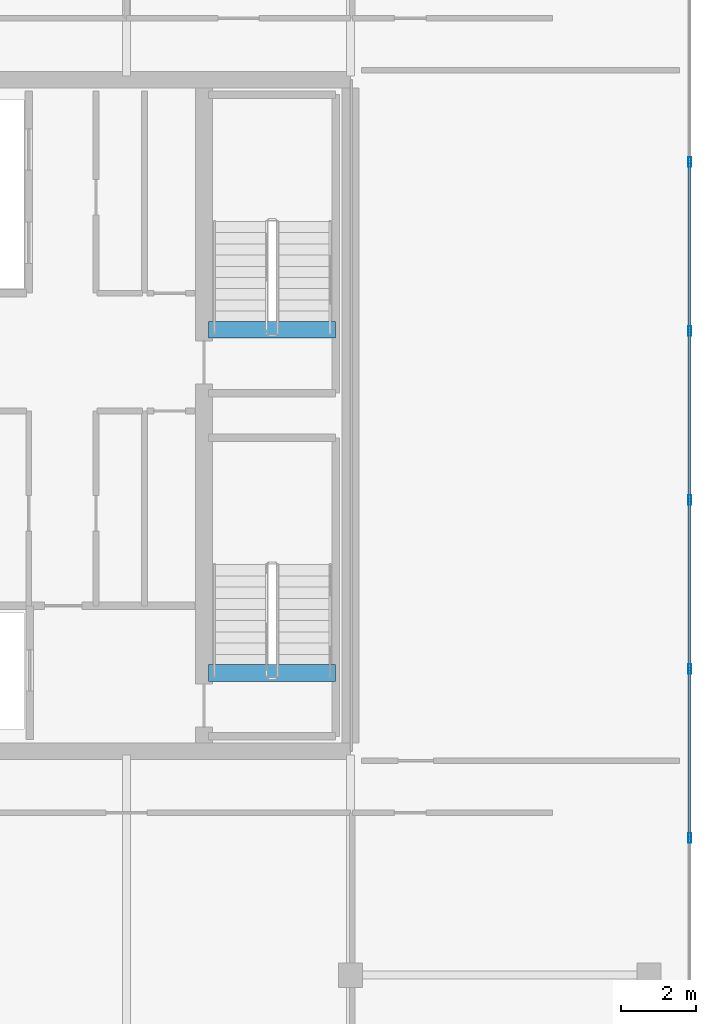
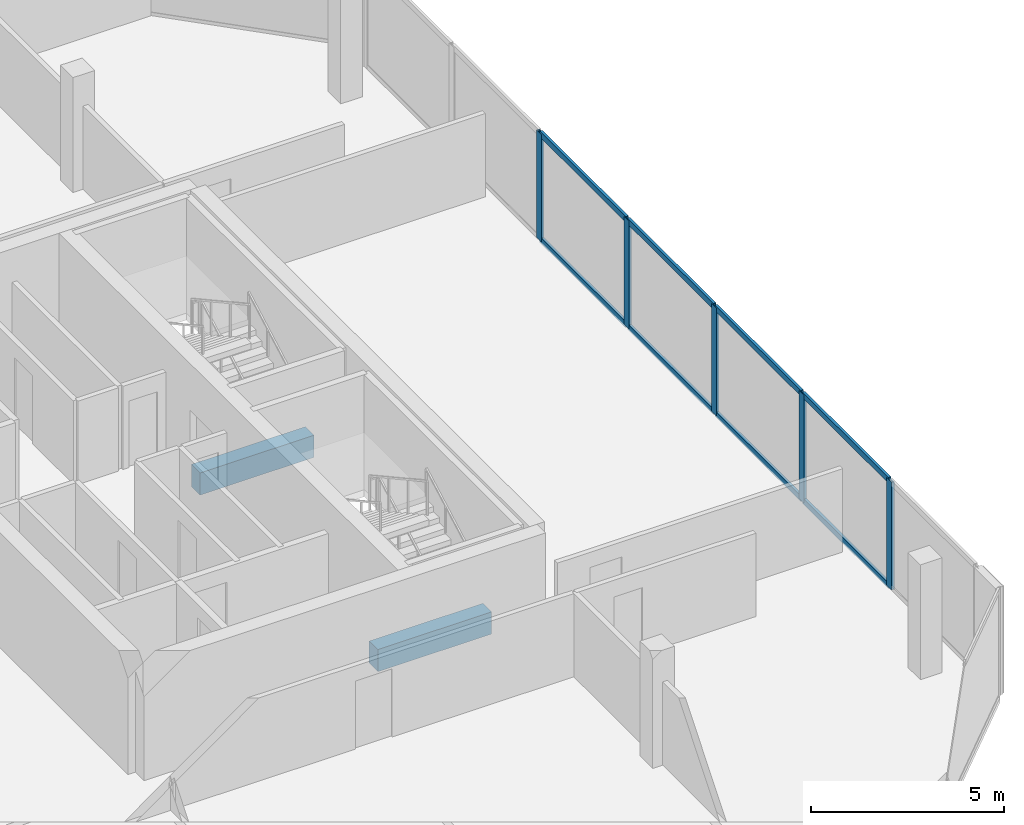
# One storey, part 18 of 30: 13 members, 2 beams, 1 element without a shape of its own.
"""IFC4 building model written with IfcOpenShell, lengths in metres."""

import ifcopenshell
import ifcopenshell.guid

model = None  # the IFC model being written
_history = None  # IfcOwnerHistory: only IFC2X3 demands one
_inside = {}  # id of a spatial element -> (the spatial element, [elements in it])
_under = {}  # id of a project, library or spatial element -> (it, [spatial elements below it])
_declared = {}  # id of a project -> (the project, [libraries it declares])
_typed = {}  # id of a type object -> (the type object, [elements of that type])
_made_of = {}  # id of a material, layer set ... -> (it, [elements and type objects made of it])


def new_model(schema):
    """Start an empty IFC model of exactly this schema.

    Asked for "IFC4X3", IfcOpenShell would pick the latest addendum, in which some entities
    have other attributes; the version numbers below select the first issue.
    IFC2X3 requires an IfcOwnerHistory on every rooted entity: one is made here for all.
    """
    global model, _history
    if schema == "IFC4X3":
        model = ifcopenshell.file(schema_version=(4, 3, 0, 0))
    else:
        model = ifcopenshell.file(schema=schema)
    _inside.clear()
    _under.clear()
    _declared.clear()
    _typed.clear()
    _made_of.clear()
    _history = None
    if model.schema == "IFC2X3":
        org = make("IfcOrganization", Name="unknown")
        user = make(
            "IfcPersonAndOrganization",
            ThePerson=make("IfcPerson", FamilyName="unknown"),
            TheOrganization=org,
        )
        app = make(
            "IfcApplication",
            ApplicationDeveloper=org,
            Version="unknown",
            ApplicationFullName="unknown",
            ApplicationIdentifier="unknown",
        )
        _history = make(
            "IfcOwnerHistory",
            OwningUser=user,
            OwningApplication=app,
            ChangeAction="ADDED",
            CreationDate=0,
        )
    return model


def make(cls, **values):
    """One entity of the class cls with the attributes given. An attribute that is None is left unset."""
    return model.create_entity(
        cls, **{name: value for name, value in values.items() if value is not None}
    )


def rooted(cls, **values):
    """An entity with a GlobalId (a new one), such as an element, a storey or a relation."""
    return make(cls, GlobalId=ifcopenshell.guid.new(), OwnerHistory=_history, **values)


def si_unit(unit_type, name, prefix=None):
    """IfcSIUnit, for example si_unit("LENGTHUNIT", "METRE", prefix="MILLI")."""
    return make("IfcSIUnit", UnitType=unit_type, Prefix=prefix, Name=name)


def assignment(units):
    """IfcUnitAssignment: the units of a project."""
    return None if units is None else make("IfcUnitAssignment", Units=units)


def point(xyz):
    """IfcCartesianPoint."""
    return None if xyz is None else make("IfcCartesianPoint", Coordinates=xyz)


def direction(xyz):
    """IfcDirection."""
    return None if xyz is None else make("IfcDirection", DirectionRatios=xyz)


def frame(location, z_axis=None, x_axis=None):
    """IfcAxis2Placement3D, a coordinate frame: its origin and axes. An axis left out is left unset."""
    return make(
        "IfcAxis2Placement3D",
        Location=point(location),
        Axis=direction(z_axis),
        RefDirection=direction(x_axis),
    )


def frame_2d(location, x_axis=None):
    """IfcAxis2Placement2D, a coordinate frame in the plane: its origin and x axis."""
    return make(
        "IfcAxis2Placement2D", Location=point(location), RefDirection=direction(x_axis)
    )


def origin():
    """The frame at (0, 0, 0) with its axes left unset."""
    return frame((0.0, 0.0, 0.0))


def origin_2d():
    """The frame at (0, 0) in the plane with its x axis left unset."""
    return frame_2d((0.0, 0.0))


def place(relative_to, where):
    """IfcLocalPlacement: puts the frame where relative to a parent placement (None: the world)."""
    return make(
        "IfcLocalPlacement", PlacementRelTo=relative_to, RelativePlacement=where
    )


def context(
    kind, dimensions, precision=None, world=None, true_north=None, identifier=None
):
    """IfcGeometricRepresentationContext, for example the 3D "Model" context."""
    return make(
        "IfcGeometricRepresentationContext",
        ContextIdentifier=identifier,
        ContextType=kind,
        CoordinateSpaceDimension=dimensions,
        Precision=precision,
        WorldCoordinateSystem=world,
        TrueNorth=true_north,
    )


def subcontext(parent, identifier, kind, view, scale=None):
    """IfcGeometricRepresentationSubContext, for example "Body" below "Model"."""
    return make(
        "IfcGeometricRepresentationSubContext",
        ContextIdentifier=identifier,
        ContextType=kind,
        ParentContext=parent,
        TargetScale=scale,
        TargetView=view,
    )


def project(units=None, contexts=None):
    """IfcProject with its units and contexts."""
    return rooted(
        "IfcProject",
        Name="project",
        RepresentationContexts=contexts,
        UnitsInContext=assignment(units),
    )


def spatial(cls, under=None, at=None, **own):
    """A site, building, storey or space (cls), placed at a placement, below another one or the project."""
    s = rooted(cls, ObjectPlacement=at, **own)
    if under is not None:
        _under.setdefault(under.id(), (under, []))[1].append(s)
    return s


def profile(cls, at=None, kind="AREA", **sizes):
    """A parametric profile (cls). Its sizes go by their IFC names, for example OverallWidth=200.0."""
    return make(cls, ProfileType=kind, Position=at, **sizes)


def rectangle(**sizes):
    """IfcRectangleProfileDef."""
    return profile("IfcRectangleProfileDef", **sizes)


def hollow_rectangle(**sizes):
    """IfcRectangleHollowProfileDef."""
    return profile("IfcRectangleHollowProfileDef", **sizes)


def extrude(swept, where, along, depth):
    """IfcExtrudedAreaSolid: the profile swept, set in the frame where, extruded along a direction by depth."""
    return make(
        "IfcExtrudedAreaSolid",
        SweptArea=swept,
        Position=where,
        ExtrudedDirection=direction(along),
        Depth=depth,
    )


def shape(context_of_items, identifier, shape_type, items):
    """IfcShapeRepresentation: the items that make up one representation, for example the "Body"."""
    return make(
        "IfcShapeRepresentation",
        ContextOfItems=context_of_items,
        RepresentationIdentifier=identifier,
        RepresentationType=shape_type,
        Items=items,
    )


def material(Name=None, Category=None):
    """IfcMaterial."""
    return make("IfcMaterial", Name=Name, Category=Category)


def layer(
    of_material, thickness, ventilated=None, Name=None, Category=None, Priority=None
):
    """IfcMaterialLayer: one layer of a wall or slab, of a material (None: an air gap)."""
    return make(
        "IfcMaterialLayer",
        Material=of_material,
        LayerThickness=thickness,
        IsVentilated=ventilated,
        Name=Name,
        Category=Category,
        Priority=Priority,
    )


def layer_set(layers, Name=None):
    """IfcMaterialLayerSet."""
    return make("IfcMaterialLayerSet", MaterialLayers=layers, LayerSetName=Name)


def material_profile(
    of_material, cross_section, Name=None, Category=None, Priority=None
):
    """IfcMaterialProfile: a cross section and its material."""
    return make(
        "IfcMaterialProfile",
        Name=Name,
        Material=of_material,
        Profile=cross_section,
        Priority=Priority,
        Category=Category,
    )


def profile_set(profiles, Name=None, composite=None):
    """IfcMaterialProfileSet."""
    return make(
        "IfcMaterialProfileSet",
        Name=Name,
        MaterialProfiles=profiles,
        CompositeProfile=composite,
    )


def made_of(thing, what):
    """Note that an element or type object is made of a material, layer set ...; save() writes the relation."""
    if what is not None:
        _made_of.setdefault(what.id(), (what, []))[1].append(thing)
    return thing


def type_object(cls, material=None, **own):
    """A type object (cls), such as IfcWallType, which elements share."""
    return made_of(rooted(cls, **own), material)


def element(
    cls,
    number,
    at=None,
    inside=None,
    cuts=None,
    type_object=None,
    material=None,
    context=None,
    identifier="Body",
    shape_type=None,
    held_by="IfcProductDefinitionShape",
    body=None,
    shapes=None,
    **own,
):
    """One element of the class cls, such as IfcWall. Its Tag is "e" and its number.

    at: its placement. inside: the storey or other place that contains it. cuts: it is an
    opening in that element (IfcRelVoidsElement). A single representation is given by context,
    identifier, shape_type and body (its items); several are given by shapes. held_by: the class
    of the entity that holds the representations. save() writes the other relations.
    """
    e = rooted(cls, Tag="e%d" % number, ObjectPlacement=at, **own)
    if body is not None:
        shapes = [shape(context, identifier, shape_type, body)]
    if shapes is not None:
        e.Representation = make(held_by, Representations=shapes)
    if inside is not None:
        _inside.setdefault(inside.id(), (inside, []))[1].append(e)
    if cuts is not None:
        rooted(
            "IfcRelVoidsElement", RelatingBuildingElement=cuts, RelatedOpeningElement=e
        )
    if type_object is not None:
        _typed.setdefault(type_object.id(), (type_object, []))[1].append(e)
    return made_of(e, material)


def aggregate(whole, parts):
    """IfcRelAggregates: a whole, such as a stair, and the parts it consists of."""
    return rooted("IfcRelAggregates", RelatingObject=whole, RelatedObjects=parts)


def save(model, path):
    """Write the relations noted so far, then the file.

    IfcRelAggregates (storeys below a building ...), IfcRelContainedInSpatialStructure (elements
    in a storey), IfcRelDefinesByType, IfcRelAssociatesMaterial and IfcRelDeclares: one each for
    every whole, place, type object, material and project.
    """
    for whole, parts in _under.values():
        aggregate(whole, parts)
    for where, things in _inside.values():
        rooted(
            "IfcRelContainedInSpatialStructure",
            RelatedElements=things,
            RelatingStructure=where,
        )
    for kind, things in _typed.values():
        rooted("IfcRelDefinesByType", RelatedObjects=things, RelatingType=kind)
    for what, things in _made_of.values():
        rooted("IfcRelAssociatesMaterial", RelatedObjects=things, RelatingMaterial=what)
    for by, libraries in _declared.values():
        rooted("IfcRelDeclares", RelatingContext=by, RelatedDefinitions=libraries)
    model.write(path)


model = new_model("IFC4")

# Units and contexts
model_context = context("Model", 3, precision=1e-05, world=origin(), true_north=direction((0.0, 1.0)))
body_context = subcontext(model_context, "Body", "Model", "MODEL_VIEW")
ifc_project = project(units=[si_unit("LENGTHUNIT", "METRE"), si_unit("AREAUNIT", "SQUARE_METRE"), si_unit("VOLUMEUNIT", "CUBIC_METRE"), si_unit("PLANEANGLEUNIT", "RADIAN"), si_unit("MASSUNIT", "GRAM", prefix="KILO")], contexts=[model_context])

# Site, building, storey
site_placement = place(None, origin())
site = spatial("IfcSite", under=ifc_project, at=site_placement, CompositionType="ELEMENT")
building_placement = place(site_placement, origin())
building = spatial("IfcBuilding", under=site, at=building_placement, Name="Tanjung Sevakor Pilgrim Tower", CompositionType="ELEMENT")
storey_placement = place(building_placement, frame((0.0, 0.0, 253.43994140625)))
storey = spatial("IfcBuildingStorey", under=building, at=storey_placement, Name="L71", CompositionType="ELEMENT", Elevation=253.43994140625)

# Beams
ifc_material_1 = material(Name="Concrete C60/75", Category="concrete")
ifc_material_profile_1 = material_profile(ifc_material_1, rectangle(XDim=0.449951171875, YDim=0.699951171875, at=origin_2d()))
ifc_profile_set_1 = profile_set([ifc_material_profile_1], Name="Concrete C60/75")
beam_type = type_object("IfcBeamType", Name="BM-B-LN3-RC-BM_450x700", PredefinedType="LINTEL", material=ifc_profile_set_1)
for number, where, z_axis, x_axis, name in (
    (1, (86.199951171875, 26.699951171875, -0.349853515625), (1.0, 0.0, 0.0), (0.0, 1.0, 0.0), "L71 TS-E1 Stair Threshold Beam"),
    (2, (86.199951171875, 35.89990234375, -0.349853515625), (1.0, 0.0, 0.0), (0.0, 1.0, 0.0), "L71 TS-E2 Stair Threshold Beam"),
):
    element("IfcBeam", number, at=place(storey_placement, frame(where, z_axis=z_axis, x_axis=x_axis)), inside=storey, type_object=beam_type, Name=name, PredefinedType="LINTEL", context=body_context, shape_type="SweptSolid", body=[
        extrude(rectangle(XDim=0.449951171875, YDim=0.699951171875, at=origin_2d()), origin(), (0.0, 0.0, 1.0), 3.400146484375),
    ])

# Curtain wall, members
ifc_material_2 = material(Name="Aluminium 6063-T6 and Low-E Glass", Category="aluminium")
ifc_layer = layer(ifc_material_2, 0.219970703125)
ifc_layer_set = layer_set([ifc_layer], Name="CW-SYS-CRNE")
curtain_wall_type = type_object("IfcCurtainWallType", Name="CW-SYS-CRNE", PredefinedType="NOTDEFINED", material=ifc_layer_set)
curtain_wall_placement = place(storey_placement, origin())
curtain_wall = element("IfcCurtainWall", 3, at=curtain_wall_placement, inside=storey, type_object=curtain_wall_type, Name="L71 Curtain Wall CW-CRN-L71-EAST-2-1", PredefinedType="NOTDEFINED")
ifc_material_3 = material(Name="Aluminium 6063-T6", Category="aluminium")
ifc_material_profile_2 = material_profile(ifc_material_3, hollow_rectangle(XDim=0.080078125, YDim=0.260009765625, WallThickness=0.0048828125, at=origin_2d()))
ifc_profile_set_2 = profile_set([ifc_material_profile_2], Name="Aluminium 6063-T6")
member_type_1 = type_object("IfcMemberType", Name="TYPE-CWM-3", PredefinedType="MULLION", material=ifc_profile_set_2)
member_1_placement = place(storey_placement, frame((99.090087890625, 22.275390625, 0.0), z_axis=(0.0, 0.0, 1.0), x_axis=(-1.0, 0.0, 0.0)))
member_1 = element("IfcMember", 4, at=member_1_placement, type_object=member_type_1, Name="CW-CRE mullion 2", PredefinedType="MULLION", context=body_context, shape_type="SweptSolid", body=[
    extrude(hollow_rectangle(XDim=0.080078125, YDim=0.260009765625, WallThickness=0.0048828125, at=origin_2d()), origin(), (0.0, 0.0, 1.0), 3.41015625),
])
member_2_placement = place(storey_placement, frame((99.090087890625, 26.80517578125, 0.0), z_axis=(0.0, 0.0, 1.0), x_axis=(-1.0, 0.0, 0.0)))
member_2 = element("IfcMember", 5, at=member_2_placement, type_object=member_type_1, Name="CW-CRE mullion 3", PredefinedType="MULLION", context=body_context, shape_type="SweptSolid", body=[
    extrude(hollow_rectangle(XDim=0.080078125, YDim=0.260009765625, WallThickness=0.0048828125, at=origin_2d()), origin(), (0.0, 0.0, 1.0), 3.41015625),
])
member_3_placement = place(storey_placement, frame((99.090087890625, 31.335205078125, 0.0), z_axis=(0.0, 0.0, 1.0), x_axis=(-1.0, 0.0, 0.0)))
member_3 = element("IfcMember", 6, at=member_3_placement, type_object=member_type_1, Name="CW-CRE mullion 4", PredefinedType="MULLION", context=body_context, shape_type="SweptSolid", body=[
    extrude(hollow_rectangle(XDim=0.080078125, YDim=0.260009765625, WallThickness=0.0048828125, at=origin_2d()), origin(), (0.0, 0.0, 1.0), 3.41015625),
])
member_4_placement = place(storey_placement, frame((99.090087890625, 35.864990234375, 0.0), z_axis=(0.0, 0.0, 1.0), x_axis=(-1.0, 0.0, 0.0)))
member_4 = element("IfcMember", 7, at=member_4_placement, type_object=member_type_1, Name="CW-CRE mullion 5", PredefinedType="MULLION", context=body_context, shape_type="SweptSolid", body=[
    extrude(hollow_rectangle(XDim=0.080078125, YDim=0.260009765625, WallThickness=0.0048828125, at=origin_2d()), origin(), (0.0, 0.0, 1.0), 3.41015625),
])
member_5_placement = place(storey_placement, frame((99.090087890625, 40.394775390625, 0.0), z_axis=(0.0, 0.0, 1.0), x_axis=(-1.0, 0.0, 0.0)))
member_5 = element("IfcMember", 8, at=member_5_placement, type_object=member_type_1, Name="CW-CRE mullion 6", PredefinedType="MULLION", context=body_context, shape_type="SweptSolid", body=[
    extrude(hollow_rectangle(XDim=0.080078125, YDim=0.260009765625, WallThickness=0.0048828125, at=origin_2d()), origin(), (0.0, 0.0, 1.0), 3.41015625),
])
ifc_material_4 = material(Name="Aluminium 6063-T6", Category="aluminium")
ifc_material_profile_3 = material_profile(ifc_material_4, hollow_rectangle(XDim=0.080078125, YDim=0.179931640625, WallThickness=0.0048828125, at=origin_2d()))
ifc_profile_set_3 = profile_set([ifc_material_profile_3], Name="Aluminium 6063-T6")
member_type_2 = type_object("IfcMemberType", Name="TYPE-CWT-3", PredefinedType="USERDEFINED", material=ifc_profile_set_3)
member_6_placement = place(storey_placement, frame((99.090087890625, 22.3154296875, 0.0400390625), z_axis=(0.0, 1.0, 0.0), x_axis=(-1.0, 0.0, 0.0)))
member_6 = element("IfcMember", 9, at=member_6_placement, type_object=member_type_2, Name="CW-CRE transom 2.1", ObjectType="TRANSOM", PredefinedType="USERDEFINED", context=body_context, shape_type="SweptSolid", body=[
    extrude(hollow_rectangle(XDim=0.080078125, YDim=0.179931640625, WallThickness=0.0048828125, at=origin_2d()), origin(), (0.0, 0.0, 1.0), 4.44970703125),
])
member_7_placement = place(storey_placement, frame((99.090087890625, 22.3154296875, 3.3701171875), z_axis=(0.0, 1.0, 0.0), x_axis=(-1.0, 0.0, 0.0)))
member_7 = element("IfcMember", 10, at=member_7_placement, type_object=member_type_2, Name="CW-CRE transom 2.2", ObjectType="TRANSOM", PredefinedType="USERDEFINED", context=body_context, shape_type="SweptSolid", body=[
    extrude(hollow_rectangle(XDim=0.080078125, YDim=0.179931640625, WallThickness=0.0048828125, at=origin_2d()), origin(), (0.0, 0.0, 1.0), 4.44970703125),
])
member_8_placement = place(storey_placement, frame((99.090087890625, 26.84521484375, 0.0400390625), z_axis=(0.0, 1.0, 0.0), x_axis=(-1.0, 0.0, 0.0)))
member_8 = element("IfcMember", 11, at=member_8_placement, type_object=member_type_2, Name="CW-CRE transom 3.1", ObjectType="TRANSOM", PredefinedType="USERDEFINED", context=body_context, shape_type="SweptSolid", body=[
    extrude(hollow_rectangle(XDim=0.080078125, YDim=0.179931640625, WallThickness=0.0048828125, at=origin_2d()), origin(), (0.0, 0.0, 1.0), 4.449951171875),
])
member_9_placement = place(storey_placement, frame((99.090087890625, 26.84521484375, 3.3701171875), z_axis=(0.0, 1.0, 0.0), x_axis=(-1.0, 0.0, 0.0)))
member_9 = element("IfcMember", 12, at=member_9_placement, type_object=member_type_2, Name="CW-CRE transom 3.2", ObjectType="TRANSOM", PredefinedType="USERDEFINED", context=body_context, shape_type="SweptSolid", body=[
    extrude(hollow_rectangle(XDim=0.080078125, YDim=0.179931640625, WallThickness=0.0048828125, at=origin_2d()), origin(), (0.0, 0.0, 1.0), 4.449951171875),
])
member_10_placement = place(storey_placement, frame((99.090087890625, 31.375, 0.0400390625), z_axis=(0.0, 1.0, 0.0), x_axis=(-1.0, 0.0, 0.0)))
member_10 = element("IfcMember", 13, at=member_10_placement, type_object=member_type_2, Name="CW-CRE transom 4.1", ObjectType="TRANSOM", PredefinedType="USERDEFINED", context=body_context, shape_type="SweptSolid", body=[
    extrude(hollow_rectangle(XDim=0.080078125, YDim=0.179931640625, WallThickness=0.0048828125, at=origin_2d()), origin(), (0.0, 0.0, 1.0), 4.449951171875),
])
member_11_placement = place(storey_placement, frame((99.090087890625, 31.375, 3.3701171875), z_axis=(0.0, 1.0, 0.0), x_axis=(-1.0, 0.0, 0.0)))
member_11 = element("IfcMember", 14, at=member_11_placement, type_object=member_type_2, Name="CW-CRE transom 4.2", ObjectType="TRANSOM", PredefinedType="USERDEFINED", context=body_context, shape_type="SweptSolid", body=[
    extrude(hollow_rectangle(XDim=0.080078125, YDim=0.179931640625, WallThickness=0.0048828125, at=origin_2d()), origin(), (0.0, 0.0, 1.0), 4.449951171875),
])
member_12_placement = place(storey_placement, frame((99.090087890625, 35.905029296875, 0.0400390625), z_axis=(0.0, 1.0, 0.0), x_axis=(-1.0, 0.0, 0.0)))
member_12 = element("IfcMember", 15, at=member_12_placement, type_object=member_type_2, Name="CW-CRE transom 5.1", ObjectType="TRANSOM", PredefinedType="USERDEFINED", context=body_context, shape_type="SweptSolid", body=[
    extrude(hollow_rectangle(XDim=0.080078125, YDim=0.179931640625, WallThickness=0.0048828125, at=origin_2d()), origin(), (0.0, 0.0, 1.0), 4.44970703125),
])
member_13_placement = place(storey_placement, frame((99.090087890625, 35.905029296875, 3.3701171875), z_axis=(0.0, 1.0, 0.0), x_axis=(-1.0, 0.0, 0.0)))
member_13 = element("IfcMember", 16, at=member_13_placement, type_object=member_type_2, Name="CW-CRE transom 5.2", ObjectType="TRANSOM", PredefinedType="USERDEFINED", context=body_context, shape_type="SweptSolid", body=[
    extrude(hollow_rectangle(XDim=0.080078125, YDim=0.179931640625, WallThickness=0.0048828125, at=origin_2d()), origin(), (0.0, 0.0, 1.0), 4.44970703125),
])
aggregate(curtain_wall, [member_1, member_2, member_3, member_4, member_5, member_6, member_7, member_8, member_9, member_10, member_11, member_12, member_13])

save(model, "model.ifc")
